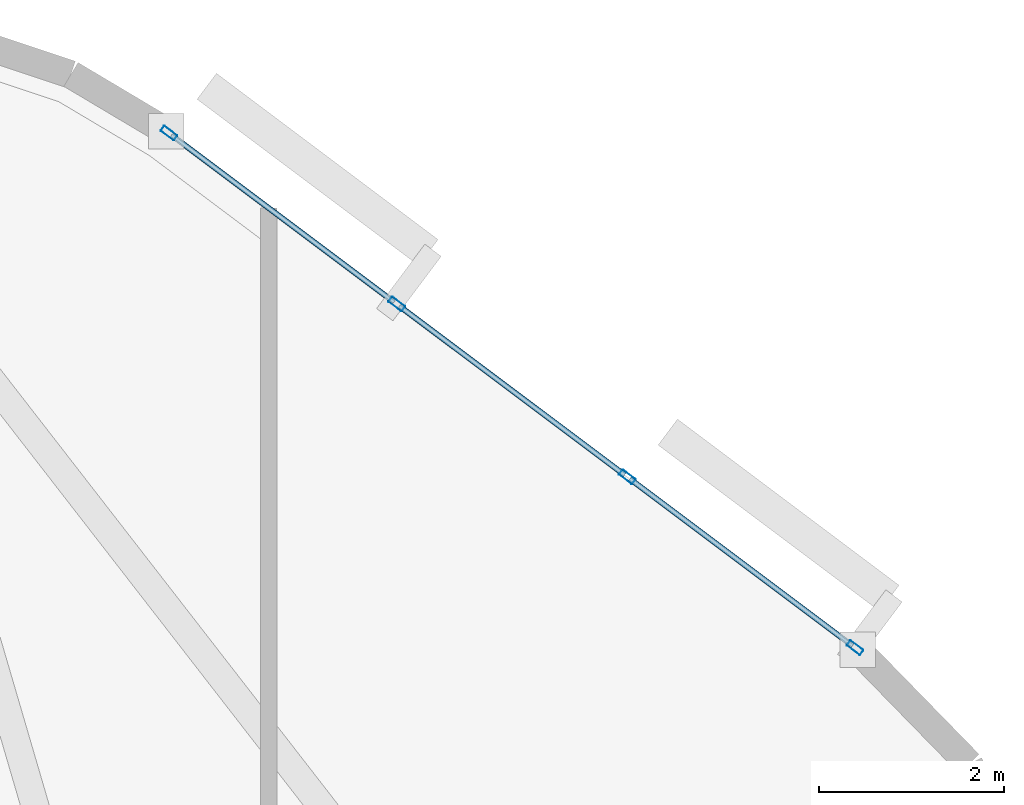
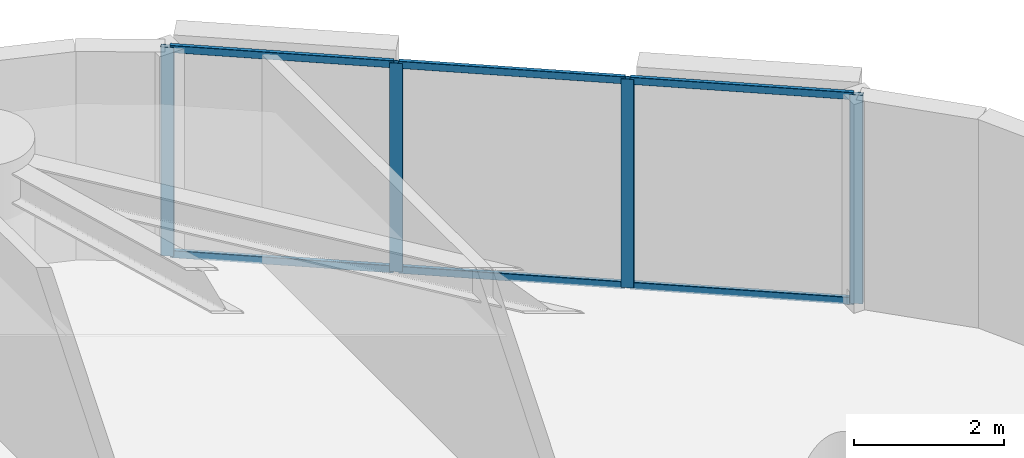
# One storey, part 8 of 16: 10 members, 1 element without a shape of its own.
"""IFC4 building model written with IfcOpenShell, lengths in metres."""

import ifcopenshell
import ifcopenshell.guid

model = None  # the IFC model being written
_history = None  # IfcOwnerHistory: only IFC2X3 demands one
_inside = {}  # id of a spatial element -> (the spatial element, [elements in it])
_under = {}  # id of a project, library or spatial element -> (it, [spatial elements below it])
_declared = {}  # id of a project -> (the project, [libraries it declares])
_typed = {}  # id of a type object -> (the type object, [elements of that type])
_made_of = {}  # id of a material, layer set ... -> (it, [elements and type objects made of it])


def new_model(schema):
    """Start an empty IFC model of exactly this schema.

    Asked for "IFC4X3", IfcOpenShell would pick the latest addendum, in which some entities
    have other attributes; the version numbers below select the first issue.
    IFC2X3 requires an IfcOwnerHistory on every rooted entity: one is made here for all.
    """
    global model, _history
    if schema == "IFC4X3":
        model = ifcopenshell.file(schema_version=(4, 3, 0, 0))
    else:
        model = ifcopenshell.file(schema=schema)
    _inside.clear()
    _under.clear()
    _declared.clear()
    _typed.clear()
    _made_of.clear()
    _history = None
    if model.schema == "IFC2X3":
        org = make("IfcOrganization", Name="unknown")
        user = make(
            "IfcPersonAndOrganization",
            ThePerson=make("IfcPerson", FamilyName="unknown"),
            TheOrganization=org,
        )
        app = make(
            "IfcApplication",
            ApplicationDeveloper=org,
            Version="unknown",
            ApplicationFullName="unknown",
            ApplicationIdentifier="unknown",
        )
        _history = make(
            "IfcOwnerHistory",
            OwningUser=user,
            OwningApplication=app,
            ChangeAction="ADDED",
            CreationDate=0,
        )
    return model


def make(cls, **values):
    """One entity of the class cls with the attributes given. An attribute that is None is left unset."""
    return model.create_entity(
        cls, **{name: value for name, value in values.items() if value is not None}
    )


def rooted(cls, **values):
    """An entity with a GlobalId (a new one), such as an element, a storey or a relation."""
    return make(cls, GlobalId=ifcopenshell.guid.new(), OwnerHistory=_history, **values)


def si_unit(unit_type, name, prefix=None):
    """IfcSIUnit, for example si_unit("LENGTHUNIT", "METRE", prefix="MILLI")."""
    return make("IfcSIUnit", UnitType=unit_type, Prefix=prefix, Name=name)


def assignment(units):
    """IfcUnitAssignment: the units of a project."""
    return None if units is None else make("IfcUnitAssignment", Units=units)


def point(xyz):
    """IfcCartesianPoint."""
    return None if xyz is None else make("IfcCartesianPoint", Coordinates=xyz)


def direction(xyz):
    """IfcDirection."""
    return None if xyz is None else make("IfcDirection", DirectionRatios=xyz)


def frame(location, z_axis=None, x_axis=None):
    """IfcAxis2Placement3D, a coordinate frame: its origin and axes. An axis left out is left unset."""
    return make(
        "IfcAxis2Placement3D",
        Location=point(location),
        Axis=direction(z_axis),
        RefDirection=direction(x_axis),
    )


def frame_2d(location, x_axis=None):
    """IfcAxis2Placement2D, a coordinate frame in the plane: its origin and x axis."""
    return make(
        "IfcAxis2Placement2D", Location=point(location), RefDirection=direction(x_axis)
    )


def origin():
    """The frame at (0, 0, 0) with its axes left unset."""
    return frame((0.0, 0.0, 0.0))


def origin_2d():
    """The frame at (0, 0) in the plane with its x axis left unset."""
    return frame_2d((0.0, 0.0))


def place(relative_to, where):
    """IfcLocalPlacement: puts the frame where relative to a parent placement (None: the world)."""
    return make(
        "IfcLocalPlacement", PlacementRelTo=relative_to, RelativePlacement=where
    )


def context(
    kind, dimensions, precision=None, world=None, true_north=None, identifier=None
):
    """IfcGeometricRepresentationContext, for example the 3D "Model" context."""
    return make(
        "IfcGeometricRepresentationContext",
        ContextIdentifier=identifier,
        ContextType=kind,
        CoordinateSpaceDimension=dimensions,
        Precision=precision,
        WorldCoordinateSystem=world,
        TrueNorth=true_north,
    )


def subcontext(parent, identifier, kind, view, scale=None):
    """IfcGeometricRepresentationSubContext, for example "Body" below "Model"."""
    return make(
        "IfcGeometricRepresentationSubContext",
        ContextIdentifier=identifier,
        ContextType=kind,
        ParentContext=parent,
        TargetScale=scale,
        TargetView=view,
    )


def project(units=None, contexts=None):
    """IfcProject with its units and contexts."""
    return rooted(
        "IfcProject",
        Name="project",
        RepresentationContexts=contexts,
        UnitsInContext=assignment(units),
    )


def spatial(cls, under=None, at=None, **own):
    """A site, building, storey or space (cls), placed at a placement, below another one or the project."""
    s = rooted(cls, ObjectPlacement=at, **own)
    if under is not None:
        _under.setdefault(under.id(), (under, []))[1].append(s)
    return s


def profile(cls, at=None, kind="AREA", **sizes):
    """A parametric profile (cls). Its sizes go by their IFC names, for example OverallWidth=200.0."""
    return make(cls, ProfileType=kind, Position=at, **sizes)


def hollow_rectangle(**sizes):
    """IfcRectangleHollowProfileDef."""
    return profile("IfcRectangleHollowProfileDef", **sizes)


def extrude(swept, where, along, depth):
    """IfcExtrudedAreaSolid: the profile swept, set in the frame where, extruded along a direction by depth."""
    return make(
        "IfcExtrudedAreaSolid",
        SweptArea=swept,
        Position=where,
        ExtrudedDirection=direction(along),
        Depth=depth,
    )


def shape(context_of_items, identifier, shape_type, items):
    """IfcShapeRepresentation: the items that make up one representation, for example the "Body"."""
    return make(
        "IfcShapeRepresentation",
        ContextOfItems=context_of_items,
        RepresentationIdentifier=identifier,
        RepresentationType=shape_type,
        Items=items,
    )


def material(Name=None, Category=None):
    """IfcMaterial."""
    return make("IfcMaterial", Name=Name, Category=Category)


def layer(
    of_material, thickness, ventilated=None, Name=None, Category=None, Priority=None
):
    """IfcMaterialLayer: one layer of a wall or slab, of a material (None: an air gap)."""
    return make(
        "IfcMaterialLayer",
        Material=of_material,
        LayerThickness=thickness,
        IsVentilated=ventilated,
        Name=Name,
        Category=Category,
        Priority=Priority,
    )


def layer_set(layers, Name=None):
    """IfcMaterialLayerSet."""
    return make("IfcMaterialLayerSet", MaterialLayers=layers, LayerSetName=Name)


def material_profile(
    of_material, cross_section, Name=None, Category=None, Priority=None
):
    """IfcMaterialProfile: a cross section and its material."""
    return make(
        "IfcMaterialProfile",
        Name=Name,
        Material=of_material,
        Profile=cross_section,
        Priority=Priority,
        Category=Category,
    )


def profile_set(profiles, Name=None, composite=None):
    """IfcMaterialProfileSet."""
    return make(
        "IfcMaterialProfileSet",
        Name=Name,
        MaterialProfiles=profiles,
        CompositeProfile=composite,
    )


def made_of(thing, what):
    """Note that an element or type object is made of a material, layer set ...; save() writes the relation."""
    if what is not None:
        _made_of.setdefault(what.id(), (what, []))[1].append(thing)
    return thing


def type_object(cls, material=None, **own):
    """A type object (cls), such as IfcWallType, which elements share."""
    return made_of(rooted(cls, **own), material)


def element(
    cls,
    number,
    at=None,
    inside=None,
    cuts=None,
    type_object=None,
    material=None,
    context=None,
    identifier="Body",
    shape_type=None,
    held_by="IfcProductDefinitionShape",
    body=None,
    shapes=None,
    **own,
):
    """One element of the class cls, such as IfcWall. Its Tag is "e" and its number.

    at: its placement. inside: the storey or other place that contains it. cuts: it is an
    opening in that element (IfcRelVoidsElement). A single representation is given by context,
    identifier, shape_type and body (its items); several are given by shapes. held_by: the class
    of the entity that holds the representations. save() writes the other relations.
    """
    e = rooted(cls, Tag="e%d" % number, ObjectPlacement=at, **own)
    if body is not None:
        shapes = [shape(context, identifier, shape_type, body)]
    if shapes is not None:
        e.Representation = make(held_by, Representations=shapes)
    if inside is not None:
        _inside.setdefault(inside.id(), (inside, []))[1].append(e)
    if cuts is not None:
        rooted(
            "IfcRelVoidsElement", RelatingBuildingElement=cuts, RelatedOpeningElement=e
        )
    if type_object is not None:
        _typed.setdefault(type_object.id(), (type_object, []))[1].append(e)
    return made_of(e, material)


def aggregate(whole, parts):
    """IfcRelAggregates: a whole, such as a stair, and the parts it consists of."""
    return rooted("IfcRelAggregates", RelatingObject=whole, RelatedObjects=parts)


def save(model, path):
    """Write the relations noted so far, then the file.

    IfcRelAggregates (storeys below a building ...), IfcRelContainedInSpatialStructure (elements
    in a storey), IfcRelDefinesByType, IfcRelAssociatesMaterial and IfcRelDeclares: one each for
    every whole, place, type object, material and project.
    """
    for whole, parts in _under.values():
        aggregate(whole, parts)
    for where, things in _inside.values():
        rooted(
            "IfcRelContainedInSpatialStructure",
            RelatedElements=things,
            RelatingStructure=where,
        )
    for kind, things in _typed.values():
        rooted("IfcRelDefinesByType", RelatedObjects=things, RelatingType=kind)
    for what, things in _made_of.values():
        rooted("IfcRelAssociatesMaterial", RelatedObjects=things, RelatingMaterial=what)
    for by, libraries in _declared.values():
        rooted("IfcRelDeclares", RelatingContext=by, RelatedDefinitions=libraries)
    model.write(path)


model = new_model("IFC4")

# Units and contexts
model_context = context("Model", 3, precision=1e-05, world=origin(), true_north=direction((0.0, 1.0)))
body_context = subcontext(model_context, "Body", "Model", "MODEL_VIEW")
ifc_project = project(units=[si_unit("LENGTHUNIT", "METRE"), si_unit("AREAUNIT", "SQUARE_METRE"), si_unit("VOLUMEUNIT", "CUBIC_METRE"), si_unit("PLANEANGLEUNIT", "RADIAN"), si_unit("MASSUNIT", "GRAM", prefix="KILO")], contexts=[model_context])

# Site, building, storey
site_placement = place(None, origin())
site = spatial("IfcSite", under=ifc_project, at=site_placement, CompositionType="ELEMENT")
building_placement = place(site_placement, origin())
building = spatial("IfcBuilding", under=site, at=building_placement, Name="An Khanh Terracotta Commons", CompositionType="ELEMENT")
storey_placement = place(building_placement, frame((0.0, 0.0, 118.699951171875)))
storey = spatial("IfcBuildingStorey", under=building, at=storey_placement, Name="L31", CompositionType="ELEMENT", Elevation=118.699951171875)

# Curtain wall, members
ifc_material = material(Name="Anodised Aluminium 6063-T6", Category="aluminium")
ifc_layer = layer(ifc_material, 0.199951171875, Name="Anodised Aluminium 6063-T6")
ifc_layer_set = layer_set([ifc_layer], Name="Anodised Aluminium 6063-T6")
curtain_wall_type = type_object("IfcCurtainWallType", Name="CW-SYS-02", PredefinedType="USERDEFINED", material=ifc_layer_set)
curtain_wall_placement = place(storey_placement, origin())
curtain_wall = element("IfcCurtainWall", 1, at=curtain_wall_placement, inside=storey, type_object=curtain_wall_type, Name="L31 CW-02 Unitised Curtain Wall CW-L31-16", ObjectType="UNITISED CURTAIN WALL", PredefinedType="USERDEFINED")
ifc_material_profile_1 = material_profile(ifc_material, hollow_rectangle(XDim=0.070068359375, YDim=0.179931640625, WallThickness=0.00390625, InnerFilletRadius=0.00390625, OuterFilletRadius=0.008056640625, at=origin_2d()), Name="RHS180x70x4")
ifc_profile_set_1 = profile_set([ifc_material_profile_1], Name="Anodised Aluminium 6063-T6")
member_type_1 = type_object("IfcMemberType", Name="CWM-RHS180x70x4", PredefinedType="MULLION", material=ifc_profile_set_1)
member_1_placement = place(storey_placement, frame((55.132080078125, 37.10107421875, 0.0), z_axis=(0.0, 0.0, 1.0), x_axis=(-0.599982857492, -0.800012856594, 0.0)))
member_1 = element("IfcMember", 2, at=member_1_placement, type_object=member_type_1, Name="CW-02 mullion 1", PredefinedType="MULLION", context=body_context, shape_type="SweptSolid", body=[
    extrude(hollow_rectangle(XDim=0.070068359375, YDim=0.179931640625, WallThickness=0.00390625, InnerFilletRadius=0.00390625, OuterFilletRadius=0.008056640625, at=origin_2d()), origin(), (0.0, 0.0, 1.0), 3.400146484375),
])
member_2_placement = place(storey_placement, frame((52.6708984375, 38.94677734375, 0.0), z_axis=(0.0, 0.0, 1.0), x_axis=(-0.599982857492, -0.800012856594, 0.0)))
member_2 = element("IfcMember", 3, at=member_2_placement, type_object=member_type_1, Name="CW-02 mullion 2", PredefinedType="MULLION", context=body_context, shape_type="SweptSolid", body=[
    extrude(hollow_rectangle(XDim=0.070068359375, YDim=0.179931640625, WallThickness=0.00390625, InnerFilletRadius=0.00390625, OuterFilletRadius=0.008056640625, at=origin_2d()), origin(), (0.0, 0.0, 1.0), 3.400146484375),
])
member_3_placement = place(storey_placement, frame((50.181884765625, 40.813232421875, 0.0), z_axis=(0.0, 0.0, 1.0), x_axis=(-0.599982857492, -0.800012856594, 0.0)))
member_3 = element("IfcMember", 4, at=member_3_placement, type_object=member_type_1, Name="CW-02 mullion 3", PredefinedType="MULLION", context=body_context, shape_type="SweptSolid", body=[
    extrude(hollow_rectangle(XDim=0.070068359375, YDim=0.179931640625, WallThickness=0.00390625, InnerFilletRadius=0.00390625, OuterFilletRadius=0.008056640625, at=origin_2d()), origin(), (0.0, 0.0, 1.0), 3.400146484375),
])
member_4_placement = place(storey_placement, frame((47.720947265625, 42.658935546875, 0.0), z_axis=(0.0, 0.0, 1.0), x_axis=(-0.599982857492, -0.800012856594, 0.0)))
member_4 = element("IfcMember", 5, at=member_4_placement, type_object=member_type_1, Name="CW-02 mullion 4", PredefinedType="MULLION", context=body_context, shape_type="SweptSolid", body=[
    extrude(hollow_rectangle(XDim=0.070068359375, YDim=0.179931640625, WallThickness=0.00390625, InnerFilletRadius=0.00390625, OuterFilletRadius=0.008056640625, at=origin_2d()), origin(), (0.0, 0.0, 1.0), 3.400146484375),
])
ifc_material_profile_2 = material_profile(ifc_material, hollow_rectangle(XDim=0.06005859375, YDim=0.1201171875, WallThickness=0.003662109375, InnerFilletRadius=0.003662109375, OuterFilletRadius=0.007080078125, at=origin_2d()), Name="RHS120x60x3.6")
ifc_profile_set_2 = profile_set([ifc_material_profile_2], Name="Anodised Aluminium 6063-T6")
member_type_2 = type_object("IfcMemberType", Name="CWT-RHS120x60x3.6", PredefinedType="USERDEFINED", material=ifc_profile_set_2)
member_5_placement = place(storey_placement, frame((55.10400390625, 37.1220703125, 0.030029296875), z_axis=(-0.800009745217, 0.599987006158, 0.0), x_axis=(-0.599987006158, -0.800009745217, 0.0)))
member_5 = element("IfcMember", 6, at=member_5_placement, type_object=member_type_2, Name="CW-02 transom 1.1", ObjectType="TRANSOM", PredefinedType="USERDEFINED", context=body_context, shape_type="SweptSolid", body=[
    extrude(hollow_rectangle(XDim=0.06005859375, YDim=0.1201171875, WallThickness=0.003662109375, InnerFilletRadius=0.003662109375, OuterFilletRadius=0.007080078125, at=origin_2d()), origin(), (0.0, 0.0, 1.0), 3.00634765625),
])
member_6_placement = place(storey_placement, frame((55.10400390625, 37.1220703125, 3.3701171875), z_axis=(-0.800009745217, 0.599987006158, 0.0), x_axis=(-0.599987006158, -0.800009745217, 0.0)))
member_6 = element("IfcMember", 7, at=member_6_placement, type_object=member_type_2, Name="CW-02 transom 1.2", ObjectType="TRANSOM", PredefinedType="USERDEFINED", context=body_context, shape_type="SweptSolid", body=[
    extrude(hollow_rectangle(XDim=0.06005859375, YDim=0.1201171875, WallThickness=0.003662109375, InnerFilletRadius=0.003662109375, OuterFilletRadius=0.007080078125, at=origin_2d()), origin(), (0.0, 0.0, 1.0), 3.00634765625),
])
member_7_placement = place(storey_placement, frame((52.64306640625, 38.9677734375, 0.030029296875), z_axis=(-0.800057796972, 0.599922929638, 0.0), x_axis=(-0.599922929638, -0.800057796972, 0.0)))
member_7 = element("IfcMember", 8, at=member_7_placement, type_object=member_type_2, Name="CW-02 transom 2.1", ObjectType="TRANSOM", PredefinedType="USERDEFINED", context=body_context, shape_type="SweptSolid", body=[
    extrude(hollow_rectangle(XDim=0.06005859375, YDim=0.1201171875, WallThickness=0.003662109375, InnerFilletRadius=0.003662109375, OuterFilletRadius=0.007080078125, at=origin_2d()), origin(), (0.0, 0.0, 1.0), 3.041259765625),
])
member_8_placement = place(storey_placement, frame((52.64306640625, 38.9677734375, 3.3701171875), z_axis=(-0.800057796972, 0.599922929638, 0.0), x_axis=(-0.599922929638, -0.800057796972, 0.0)))
member_8 = element("IfcMember", 9, at=member_8_placement, type_object=member_type_2, Name="CW-02 transom 2.2", ObjectType="TRANSOM", PredefinedType="USERDEFINED", context=body_context, shape_type="SweptSolid", body=[
    extrude(hollow_rectangle(XDim=0.06005859375, YDim=0.1201171875, WallThickness=0.003662109375, InnerFilletRadius=0.003662109375, OuterFilletRadius=0.007080078125, at=origin_2d()), origin(), (0.0, 0.0, 1.0), 3.041259765625),
])
member_9_placement = place(storey_placement, frame((50.154052734375, 40.834228515625, 0.030029296875), z_axis=(-0.800009745217, 0.599987006158, 0.0), x_axis=(-0.599987006158, -0.800009745217, 0.0)))
member_9 = element("IfcMember", 10, at=member_9_placement, type_object=member_type_2, Name="CW-02 transom 3.1", ObjectType="TRANSOM", PredefinedType="USERDEFINED", context=body_context, shape_type="SweptSolid", body=[
    extrude(hollow_rectangle(XDim=0.06005859375, YDim=0.1201171875, WallThickness=0.003662109375, InnerFilletRadius=0.003662109375, OuterFilletRadius=0.007080078125, at=origin_2d()), origin(), (0.0, 0.0, 1.0), 3.00634765625),
])
member_10_placement = place(storey_placement, frame((50.154052734375, 40.834228515625, 3.3701171875), z_axis=(-0.800009745217, 0.599987006158, 0.0), x_axis=(-0.599987006158, -0.800009745217, 0.0)))
member_10 = element("IfcMember", 11, at=member_10_placement, type_object=member_type_2, Name="CW-02 transom 3.2", ObjectType="TRANSOM", PredefinedType="USERDEFINED", context=body_context, shape_type="SweptSolid", body=[
    extrude(hollow_rectangle(XDim=0.06005859375, YDim=0.1201171875, WallThickness=0.003662109375, InnerFilletRadius=0.003662109375, OuterFilletRadius=0.007080078125, at=origin_2d()), origin(), (0.0, 0.0, 1.0), 3.00634765625),
])
aggregate(curtain_wall, [member_1, member_2, member_3, member_4, member_5, member_6, member_7, member_8, member_9, member_10])

save(model, "model.ifc")
